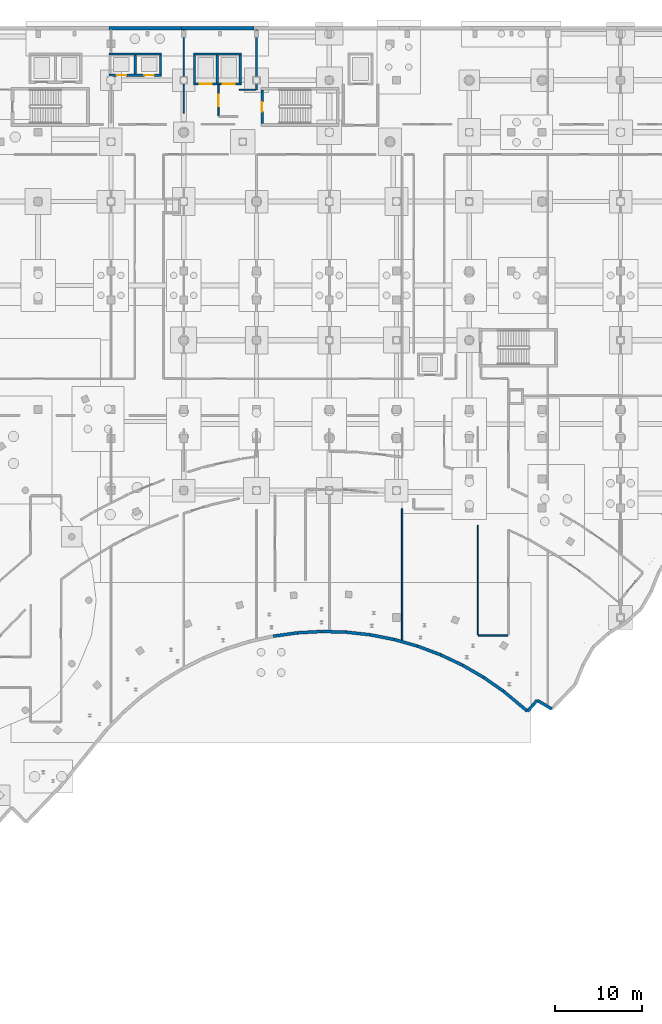
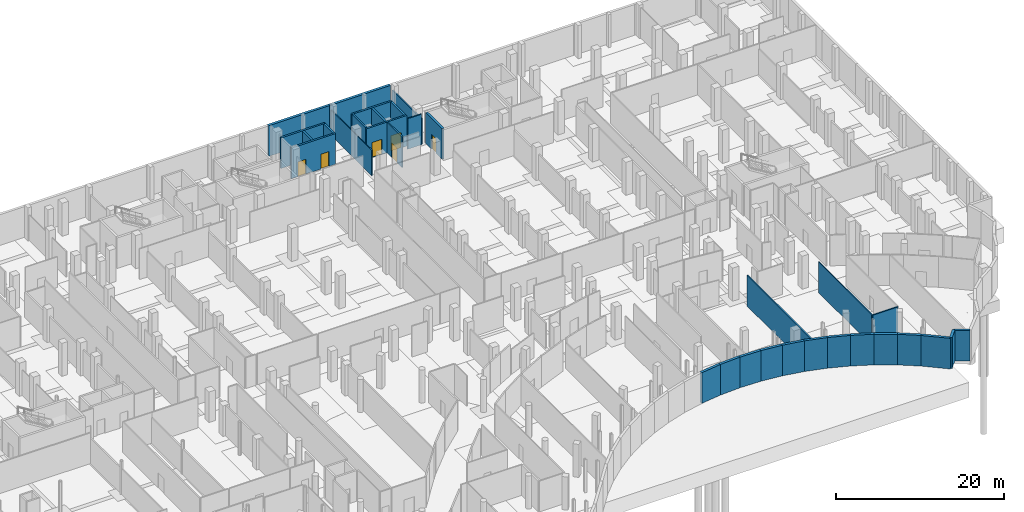
# One storey, part 35 of 45: 32 walls, 6 doors, 6 openings.
"""IFC4 building model written with IfcOpenShell, lengths in metres."""

from ifc_helpers import new_model, si_unit, direction, frame, frame_2d, origin, place, context, subcontext, project, spatial, rectangle, extrude, material, layer, layer_set, type_object, element, fill, save


model = new_model("IFC4")

# Units and contexts
model_context = context("Model", 3, precision=1e-05, world=origin(), true_north=direction((0.0, 1.0)))
body_context = subcontext(model_context, "Body", "Model", "MODEL_VIEW")
ifc_project = project(units=[si_unit("LENGTHUNIT", "METRE"), si_unit("AREAUNIT", "SQUARE_METRE"), si_unit("VOLUMEUNIT", "CUBIC_METRE"), si_unit("PLANEANGLEUNIT", "RADIAN"), si_unit("MASSUNIT", "GRAM", prefix="KILO")], contexts=[model_context])

# Site, building, storey
site_placement = place(None, origin())
site = spatial("IfcSite", under=ifc_project, at=site_placement, CompositionType="ELEMENT")
building_placement = place(site_placement, origin())
building = spatial("IfcBuilding", under=site, at=building_placement, Name="Selatvlak General Hospital", CompositionType="ELEMENT")
storey_placement = place(building_placement, frame((0.0, 0.0, -4.800048828125)))
storey = spatial("IfcBuildingStorey", under=building, at=storey_placement, Name="B1", CompositionType="ELEMENT", Elevation=-4.800048828125)

# Walls
ifc_material_1 = material(Name="Concrete C45/55", Category="concrete")
ifc_layer_1 = layer(ifc_material_1, 0.35009765625, Name="Concrete C45/55", Category="concrete")
ifc_layer_set_1 = layer_set([ifc_layer_1], Name="Concrete C45/55")
wall_type_1 = type_object("IfcWallType", Name="WALL-EW-05", PredefinedType="SHEAR", material=ifc_layer_set_1)
for number, where, z_axis, x_axis, name in (
    (1, (114.951904296875, 120.0, 0.0), (0.0, 0.0, 1.0), (1.0, 0.0, 0.0), "B1 retaining wall 0022"),
    (2, (123.3330078125, 120.0, 0.0), (0.0, 0.0, 1.0), (1.0, 0.0, 0.0), "B1 retaining wall 0023"),
):
    element("IfcWall", number, at=place(storey_placement, frame(where, z_axis=z_axis, x_axis=x_axis)), inside=storey, type_object=wall_type_1, Name=name, PredefinedType="SHEAR", context=body_context, shape_type="SweptSolid", body=[
        extrude(rectangle(XDim=8.381103515625, YDim=0.35009765625, at=frame_2d((4.1904296875, 0.0))), origin(), (0.0, 0.0, 1.0), 4.449951171875),
    ])
wall_1_placement = place(storey_placement, frame((166.06494140625, 41.449951171875, 0.0), z_axis=(0.0, 0.0, 1.0), x_axis=(-0.860614493438, 0.509257001606, 0.0)))
element("IfcWall", 3, at=wall_1_placement, inside=storey, type_object=wall_type_1, Name="B1 retaining wall 0049", PredefinedType="SHEAR", context=body_context, shape_type="SweptSolid", body=[
    extrude(rectangle(XDim=1.963623046875, YDim=0.35009765625, at=frame_2d((0.98193359375, 0.0))), origin(), (0.0, 0.0, 1.0), 4.449951171875),
])
wall_2_placement = place(storey_placement, frame((164.375, 42.449951171875, 0.0), z_axis=(0.0, 0.0, 1.0), x_axis=(-0.660326061666, -0.750979022533, 0.0)))
element("IfcWall", 4, at=wall_2_placement, inside=storey, type_object=wall_type_1, Name="B1 retaining wall 0050", PredefinedType="SHEAR", context=body_context, shape_type="SweptSolid", body=[
    extrude(rectangle(XDim=1.677734375, YDim=0.35009765625, at=frame_2d((0.8388671875, 0.0))), origin(), (0.0, 0.0, 1.0), 4.449951171875),
])
wall_3_placement = place(storey_placement, frame((163.26708984375, 41.18994140625, 0.0), z_axis=(0.0, 0.0, 1.0), x_axis=(-0.767516584988, 0.641029088083, 0.0)))
element("IfcWall", 5, at=wall_3_placement, inside=storey, type_object=wall_type_1, Name="B1 retaining wall 0051", PredefinedType="SHEAR", context=body_context, shape_type="SweptSolid", body=[
    extrude(rectangle(XDim=3.580322265625, YDim=0.35009765625, at=frame_2d((1.7900390625, 0.0))), origin(), (0.0, 0.0, 1.0), 4.449951171875),
])
wall_4_placement = place(storey_placement, frame((160.51904296875, 43.485107421875, 0.0), z_axis=(0.0, 0.0, 1.0), x_axis=(-0.820639839103, 0.571445758123, 0.0)))
element("IfcWall", 6, at=wall_4_placement, inside=storey, type_object=wall_type_1, Name="B1 retaining wall 0052", PredefinedType="SHEAR", context=body_context, shape_type="SweptSolid", body=[
    extrude(rectangle(XDim=2.813720703125, YDim=0.35009765625, at=frame_2d((1.40673828125, 0.0))), origin(), (0.0, 0.0, 1.0), 4.449951171875),
])
wall_5_placement = place(storey_placement, frame((158.2099609375, 45.093017578125, 0.0), z_axis=(0.0, 0.0, 1.0), x_axis=(-0.864915249361, 0.501917932956, 0.0)))
element("IfcWall", 7, at=wall_5_placement, inside=storey, type_object=wall_type_1, Name="B1 retaining wall 0053", PredefinedType="SHEAR", context=body_context, shape_type="SweptSolid", body=[
    extrude(rectangle(XDim=2.8154296875, YDim=0.35009765625, at=frame_2d((1.40771484375, 0.0))), origin(), (0.0, 0.0, 1.0), 4.449951171875),
])
wall_6_placement = place(storey_placement, frame((155.77490234375, 46.506103515625, 0.0), z_axis=(0.0, 0.0, 1.0), x_axis=(-0.903700736415, 0.428164663422, 0.0)))
element("IfcWall", 8, at=wall_6_placement, inside=storey, type_object=wall_type_1, Name="B1 retaining wall 0054", PredefinedType="SHEAR", context=body_context, shape_type="SweptSolid", body=[
    extrude(rectangle(XDim=2.81396484375, YDim=0.35009765625, at=frame_2d((1.406982421875, 0.0))), origin(), (0.0, 0.0, 1.0), 4.449951171875),
])
wall_7_placement = place(storey_placement, frame((153.23193359375, 47.7109375, 0.0), z_axis=(0.0, 0.0, 1.0), x_axis=(-0.936086290475, 0.351770460363, 0.0)))
element("IfcWall", 9, at=wall_7_placement, inside=storey, type_object=wall_type_1, Name="B1 retaining wall 0055", PredefinedType="SHEAR", context=body_context, shape_type="SweptSolid", body=[
    extrude(rectangle(XDim=2.8115234375, YDim=0.35009765625, at=frame_2d((1.40576171875, 0.0))), origin(), (0.0, 0.0, 1.0), 4.449951171875),
])
wall_8_placement = place(storey_placement, frame((150.60009765625, 48.699951171875, 0.0), z_axis=(0.0, 0.0, 1.0), x_axis=(-0.961974769047, 0.273138323414, 0.0)))
element("IfcWall", 10, at=wall_8_placement, inside=storey, type_object=wall_type_1, Name="B1 retaining wall 0056", PredefinedType="SHEAR", context=body_context, shape_type="SweptSolid", body=[
    extrude(rectangle(XDim=2.81201171875, YDim=0.35009765625, at=frame_2d((1.406005859375, 0.0))), origin(), (0.0, 0.0, 1.0), 4.449951171875),
])
wall_9_placement = place(storey_placement, frame((147.89501953125, 49.468017578125, 0.0), z_axis=(0.0, 0.0, 1.0), x_axis=(-0.981350344174, 0.192227734703, 0.0)))
element("IfcWall", 11, at=wall_9_placement, inside=storey, type_object=wall_type_1, Name="B1 retaining wall 0057", PredefinedType="SHEAR", context=body_context, shape_type="SweptSolid", body=[
    extrude(rectangle(XDim=2.814453125, YDim=0.35009765625, at=frame_2d((1.4072265625, 0.0))), origin(), (0.0, 0.0, 1.0), 4.449951171875),
])
wall_10_placement = place(storey_placement, frame((145.133056640625, 50.009033203125, 0.0), z_axis=(0.0, 0.0, 1.0), x_axis=(-0.993916475876, 0.110136456187, 0.0)))
element("IfcWall", 12, at=wall_10_placement, inside=storey, type_object=wall_type_1, Name="B1 retaining wall 0058", PredefinedType="SHEAR", context=body_context, shape_type="SweptSolid", body=[
    extrude(rectangle(XDim=2.815185546875, YDim=0.35009765625, at=frame_2d((1.40771484375, 0.0))), origin(), (0.0, 0.0, 1.0), 4.449951171875),
])
wall_11_placement = place(storey_placement, frame((142.3349609375, 50.319091796875, 0.0), z_axis=(0.0, 0.0, 1.0), x_axis=(-0.999616958311, 0.027675560641, 0.0)))
element("IfcWall", 13, at=wall_11_placement, inside=storey, type_object=wall_type_1, Name="B1 retaining wall 0059", PredefinedType="SHEAR", context=body_context, shape_type="SweptSolid", body=[
    extrude(rectangle(XDim=2.81396484375, YDim=0.35009765625, at=frame_2d((1.406982421875, 0.0))), origin(), (0.0, 0.0, 1.0), 4.449951171875),
])
wall_12_placement = place(storey_placement, frame((139.52197265625, 50.39697265625, 0.0), z_axis=(0.0, 0.0, 1.0), x_axis=(-0.998456875026, -0.055532591448, 0.0)))
element("IfcWall", 14, at=wall_12_placement, inside=storey, type_object=wall_type_1, Name="B1 retaining wall 0060", PredefinedType="SHEAR", context=body_context, shape_type="SweptSolid", body=[
    extrude(rectangle(XDim=2.809326171875, YDim=0.35009765625, at=frame_2d((1.40478515625, 0.0))), origin(), (0.0, 0.0, 1.0), 4.449951171875),
])
wall_13_placement = place(storey_placement, frame((136.717041015625, 50.240966796875, 0.0), z_axis=(0.0, 0.0, 1.0), x_axis=(-0.990369818783, -0.138447181425, 0.0)))
element("IfcWall", 15, at=wall_13_placement, inside=storey, type_object=wall_type_1, Name="B1 retaining wall 0061", PredefinedType="SHEAR", context=body_context, shape_type="SweptSolid", body=[
    extrude(rectangle(XDim=2.816162109375, YDim=0.35009765625, at=frame_2d((1.408203125, 0.0))), origin(), (0.0, 0.0, 1.0), 4.449951171875),
])
ifc_material_2 = material(Name="Acoustic gypsum stud partition")
ifc_layer_2 = layer(ifc_material_2, 0.179931640625, Name="Acoustic gypsum stud partition")
ifc_layer_set_2 = layer_set([ifc_layer_2], Name="Acoustic gypsum stud partition")
wall_type_2 = type_object("IfcWallType", Name="WALL-PT-01", PredefinedType="PARTITIONING", material=ifc_layer_set_2)
wall_14_placement = place(storey_placement, frame((148.800048828125, 64.5380859375, 0.0), z_axis=(0.0, 0.0, 1.0), x_axis=(0.0, -1.0, 0.0)))
element("IfcWall", 16, at=wall_14_placement, inside=storey, type_object=wall_type_2, Name="B1 clinical partition PT-B1-0186", PredefinedType="PARTITIONING", context=body_context, shape_type="SweptSolid", body=[
    extrude(rectangle(XDim=15.148193359375, YDim=0.179931640625, at=frame_2d((7.57421875, 0.0))), origin(), (0.0, 0.0, 1.0), 4.449951171875),
])
wall_15_placement = place(storey_placement, frame((157.60009765625, 49.93994140625, 0.0), z_axis=(0.0, 0.0, 1.0), x_axis=(1.0, 0.0, 0.0)))
element("IfcWall", 17, at=wall_15_placement, inside=storey, type_object=wall_type_2, Name="B1 clinical partition PT-B1-0195", PredefinedType="PARTITIONING", context=body_context, shape_type="SweptSolid", body=[
    extrude(rectangle(XDim=3.39990234375, YDim=0.179931640625, at=frame_2d((1.699951171875, 0.0))), origin(), (0.0, 0.0, 1.0), 4.449951171875),
])

# Wall, opening, door
wall_16_placement = place(storey_placement, frame((127.590087890625, 113.452880859375, 0.0), z_axis=(0.0, 0.0, 1.0), x_axis=(0.0, -1.0, 0.0)))
wall_16 = element("IfcWall", 18, at=wall_16_placement, inside=storey, type_object=wall_type_2, Name="B1 clinical partition PT-B1-0351", PredefinedType="PARTITIONING", context=body_context, shape_type="SweptSolid", body=[
    extrude(rectangle(XDim=3.552978515625, YDim=0.179931640625, at=frame_2d((1.7763671875, 0.0))), origin(), (0.0, 0.0, 1.0), 4.449951171875),
])
opening_1_placement = place(wall_16_placement, frame((1.10107421875, 0.0, 0.0)))
opening_1 = element("IfcOpeningElement", 19, at=opening_1_placement, cuts=wall_16, Name="Opening D-10", PredefinedType="OPENING", context=body_context, shape_type="SweptSolid", body=[
    extrude(rectangle(XDim=1.35009765625, YDim=2.14990234375, at=frame_2d((0.675048828125, 1.074951171875))), frame((0.0, 0.099853515625, 0.0), z_axis=(0.0, -1.0, 0.0), x_axis=(1.0, 0.0, 0.0)), (0.0, 0.0, 1.0), 0.199951171875),
])
ifc_material_3 = material(Name="Single patient bed door")
door_type_1 = type_object("IfcDoorType", Name="DOOR-D-10", OperationType="NOTDEFINED", PredefinedType="DOOR", material=ifc_material_3)
door_1_placement = place(opening_1_placement, origin())
door_1 = element("IfcDoor", 20, at=door_1_placement, inside=storey, type_object=door_type_1, Name="B1 Medical Gas Manifold Plant 86 door", OperationType="SINGLE_SWING_LEFT", OverallHeight=2.14990234375, OverallWidth=1.35009765625, PredefinedType="DOOR", context=body_context, shape_type="SweptSolid", body=[
    extrude(rectangle(XDim=1.35009765625, YDim=2.14990234375, at=frame_2d((0.675048828125, 1.074951171875))), frame((0.0, 0.02490234375, 0.0), z_axis=(0.0, -1.0, 0.0), x_axis=(1.0, 0.0, 0.0)), (0.0, 0.0, 1.0), 0.050048828125),
])
fill(opening_1, door_1)

# Walls
wall_17_placement = place(storey_placement, frame((132.0, 119.827880859375, 0.0), z_axis=(0.0, 0.0, 1.0), x_axis=(0.0, -1.0, 0.0)))
element("IfcWall", 21, at=wall_17_placement, inside=storey, type_object=wall_type_2, Name="B1 clinical partition PT-B1-0354", PredefinedType="PARTITIONING", context=body_context, shape_type="SweptSolid", body=[
    extrude(rectangle(XDim=6.927978515625, YDim=0.179931640625, at=frame_2d((3.4638671875, 0.0))), origin(), (0.0, 0.0, 1.0), 3.699951171875),
])
ifc_layer_3 = layer(ifc_material_2, 0.1650390625, Name="Acoustic gypsum stud partition")
ifc_layer_set_3 = layer_set([ifc_layer_3], Name="Acoustic gypsum stud partition")
wall_type_3 = type_object("IfcWallType", Name="WALL-PT-02", PredefinedType="PARTITIONING", material=ifc_layer_set_3)
wall_18_placement = place(storey_placement, frame((131.9140625, 112.89990234375, 0.0), z_axis=(0.0, 0.0, 1.0), x_axis=(-1.0, 0.0, 0.0)))
element("IfcWall", 22, at=wall_18_placement, inside=storey, type_object=wall_type_3, Name="B1 clinical partition PT-B1-0355", PredefinedType="PARTITIONING", context=body_context, shape_type="SweptSolid", body=[
    extrude(rectangle(XDim=1.904052734375, YDim=0.1650390625, at=frame_2d((0.9521484375, 0.0))), origin(), (0.0, 0.0, 1.0), 4.449951171875),
])
ifc_material_4 = material(Name="Moisture-resistant clinical partition")
ifc_layer_4 = layer(ifc_material_4, 0.135009765625, Name="Moisture-resistant clinical partition")
ifc_layer_set_4 = layer_set([ifc_layer_4], Name="Moisture-resistant clinical partition")
wall_type_4 = type_object("IfcWallType", Name="WALL-PT-04", PredefinedType="PARTITIONING", material=ifc_layer_set_4)
wall_19_placement = place(storey_placement, frame((157.5400390625, 62.676025390625, 0.0), z_axis=(0.0, 0.0, 1.0), x_axis=(0.0, -1.0, 0.0)))
element("IfcWall", 23, at=wall_19_placement, inside=storey, type_object=wall_type_4, Name="B1 clinical partition PT-B1-0194", PredefinedType="PARTITIONING", context=body_context, shape_type="SweptSolid", body=[
    extrude(rectangle(XDim=12.676025390625, YDim=0.135009765625, at=frame_2d((6.337890625, 0.0))), origin(), (0.0, 0.0, 1.0), 4.449951171875),
])
wall_20_placement = place(storey_placement, frame((123.60009765625, 119.827880859375, 0.0), z_axis=(0.0, 0.0, 1.0), x_axis=(0.0, -1.0, 0.0)))
element("IfcWall", 24, at=wall_20_placement, inside=storey, type_object=wall_type_4, Name="B1 clinical partition PT-B1-0350", PredefinedType="PARTITIONING", context=body_context, shape_type="SweptSolid", body=[
    extrude(rectangle(XDim=9.617919921875, YDim=0.135009765625, at=frame_2d((4.80908203125, 0.0))), origin(), (0.0, 0.0, 1.0), 3.699951171875),
])

# Wall, opening, door
ifc_layer_5 = layer(ifc_material_1, 0.300048828125, Name="Concrete C45/55", Category="concrete")
ifc_layer_set_5 = layer_set([ifc_layer_5], Name="Concrete C45/55")
wall_type_5 = type_object("IfcWallType", Name="WALL-SW-02", PredefinedType="SHEAR", material=ifc_layer_set_5)
wall_21_placement = place(storey_placement, frame((132.639892578125, 112.85009765625, 0.0), z_axis=(0.0, 0.0, 1.0), x_axis=(0.0, -1.0, 0.0)))
wall_21 = element("IfcWall", 25, at=wall_21_placement, inside=storey, type_object=wall_type_5, Name="ST-04 core shear wall B1 W", PredefinedType="SHEAR", context=body_context, shape_type="SweptSolid", body=[
    extrude(rectangle(XDim=3.860107421875, YDim=0.300048828125, at=frame_2d((1.93017578125, 0.0))), origin(), (0.0, 0.0, 1.0), 4.449951171875),
])
opening_2_placement = place(wall_21_placement, frame((1.3798828125, 0.0, 0.0)))
opening_2 = element("IfcOpeningElement", 26, at=opening_2_placement, cuts=wall_21, Name="Opening D-05", PredefinedType="OPENING", context=body_context, shape_type="SweptSolid", body=[
    extrude(rectangle(XDim=1.10009765625, YDim=2.14990234375, at=frame_2d((0.550048828125, 1.074951171875))), frame((0.0, 0.159912109375, 0.0), z_axis=(0.0, -1.0, 0.0), x_axis=(1.0, 0.0, 0.0)), (0.0, 0.0, 1.0), 0.320068359375),
])
ifc_material_5 = material(Name="Protected stair fire door")
door_type_2 = type_object("IfcDoorType", Name="DOOR-D-05", OperationType="NOTDEFINED", PredefinedType="DOOR", material=ifc_material_5)
door_2_placement = place(opening_2_placement, origin())
door_2 = element("IfcDoor", 27, at=door_2_placement, inside=storey, type_object=door_type_2, Name="ST-04 protected stair door on B1", OperationType="SINGLE_SWING_RIGHT", OverallHeight=2.14990234375, OverallWidth=1.10009765625, PredefinedType="DOOR", context=body_context, shape_type="SweptSolid", body=[
    extrude(rectangle(XDim=1.10009765625, YDim=2.14990234375, at=frame_2d((0.550048828125, 1.074951171875))), frame((0.0, 0.02490234375, 0.0), z_axis=(0.0, -1.0, 0.0), x_axis=(1.0, 0.0, 0.0)), (0.0, 0.0, 1.0), 0.050048828125),
])
fill(opening_2, door_2)

# Wall, openings, doors
ifc_material_6 = material(Name="Concrete C40/50", Category="concrete")
ifc_layer_6 = layer(ifc_material_6, 0.25, Name="Concrete C40/50", Category="concrete")
ifc_layer_set_6 = layer_set([ifc_layer_6], Name="Concrete C40/50")
wall_type_6 = type_object("IfcWallType", Name="WALL-SW-03", PredefinedType="SHEAR", material=ifc_layer_set_6)
wall_22_placement = place(storey_placement, frame((124.699951171875, 113.574951171875, 0.0), z_axis=(0.0, 0.0, 1.0), x_axis=(1.0, 0.0, 0.0)))
wall_22 = element("IfcWall", 28, at=wall_22_placement, inside=storey, type_object=wall_type_6, Name="Lift LB-03-LB-04 shaft wall B1 S", PredefinedType="SHEAR", context=body_context, shape_type="SweptSolid", body=[
    extrude(rectangle(XDim=5.550048828125, YDim=0.25, at=frame_2d((2.77490234375, 0.0))), origin(), (0.0, 0.0, 1.0), 4.449951171875),
])
opening_3_placement = place(wall_22_placement, frame((0.75, 0.0, 0.0)))
opening_3 = element("IfcOpeningElement", 29, at=opening_3_placement, cuts=wall_22, Name="Opening LD-B1", PredefinedType="OPENING", context=body_context, shape_type="SweptSolid", body=[
    extrude(rectangle(XDim=1.39990234375, YDim=2.199951171875, at=frame_2d((0.699951171875, 1.10009765625))), frame((0.0, 0.135009765625, 0.0), z_axis=(0.0, -1.0, 0.0), x_axis=(1.0, 0.0, 0.0)), (0.0, 0.0, 1.0), 0.27001953125),
])
opening_4_placement = place(wall_22_placement, frame((3.39990234375, 0.0, 0.0)))
opening_4 = element("IfcOpeningElement", 30, at=opening_4_placement, cuts=wall_22, Name="Opening LD-B1", PredefinedType="OPENING", context=body_context, shape_type="SweptSolid", body=[
    extrude(rectangle(XDim=1.39990234375, YDim=2.199951171875, at=frame_2d((0.699951171875, 1.10009765625))), frame((0.0, 0.135009765625, 0.0), z_axis=(0.0, -1.0, 0.0), x_axis=(1.0, 0.0, 0.0)), (0.0, 0.0, 1.0), 0.27001953125),
])
ifc_material_7 = material(Name="Stainless steel stretcher lift landing door", Category="steel")
door_type_3 = type_object("IfcDoorType", Name="DOOR-LD-B1", OperationType="DOUBLE_DOOR_SLIDING", PredefinedType="DOOR", material=ifc_material_7)
door_3_placement = place(opening_3_placement, origin())
door_3 = element("IfcDoor", 31, at=door_3_placement, inside=storey, type_object=door_type_3, Name="Lift LB-03 sliding landing door on B1", OperationType="DOUBLE_DOOR_SLIDING", OverallHeight=2.199951171875, OverallWidth=1.39990234375, PredefinedType="DOOR", context=body_context, shape_type="SweptSolid", body=[
    extrude(rectangle(XDim=1.39990234375, YDim=2.199951171875, at=frame_2d((0.699951171875, 1.10009765625))), frame((0.0, 0.02490234375, 0.0), z_axis=(0.0, -1.0, 0.0), x_axis=(1.0, 0.0, 0.0)), (0.0, 0.0, 1.0), 0.050048828125),
])
fill(opening_3, door_3)
door_4_placement = place(opening_4_placement, origin())
door_4 = element("IfcDoor", 32, at=door_4_placement, inside=storey, type_object=door_type_3, Name="Lift LB-04 sliding landing door on B1", OperationType="DOUBLE_DOOR_SLIDING", OverallHeight=2.199951171875, OverallWidth=1.39990234375, PredefinedType="DOOR", context=body_context, shape_type="SweptSolid", body=[
    extrude(rectangle(XDim=1.39990234375, YDim=2.199951171875, at=frame_2d((0.699951171875, 1.10009765625))), frame((0.0, 0.02490234375, 0.0), z_axis=(0.0, -1.0, 0.0), x_axis=(1.0, 0.0, 0.0)), (0.0, 0.0, 1.0), 0.050048828125),
])
fill(opening_4, door_4)

# Walls
wall_23_placement = place(storey_placement, frame((130.125, 113.699951171875, 0.0), z_axis=(0.0, 0.0, 1.0), x_axis=(0.0, 1.0, 0.0)))
element("IfcWall", 33, at=wall_23_placement, inside=storey, type_object=wall_type_6, Name="Lift LB-03-LB-04 shaft wall B1 E", PredefinedType="SHEAR", context=body_context, shape_type="SweptSolid", body=[
    extrude(rectangle(XDim=3.199951171875, YDim=0.25, at=frame_2d((1.60009765625, 0.0))), origin(), (0.0, 0.0, 1.0), 4.449951171875),
])
wall_24_placement = place(storey_placement, frame((130.25, 117.02490234375, 0.0), z_axis=(0.0, 0.0, 1.0), x_axis=(-1.0, 0.0, 0.0)))
element("IfcWall", 34, at=wall_24_placement, inside=storey, type_object=wall_type_6, Name="Lift LB-03-LB-04 shaft wall B1 N", PredefinedType="SHEAR", context=body_context, shape_type="SweptSolid", body=[
    extrude(rectangle(XDim=5.550048828125, YDim=0.25, at=frame_2d((2.77490234375, 0.0))), origin(), (0.0, 0.0, 1.0), 4.449951171875),
])
for number, where, z_axis, x_axis, name in (
    (35, (124.824951171875, 116.89990234375, 0.0), (0.0, 0.0, 1.0), (0.0, -1.0, 0.0), "Lift LB-03-LB-04 shaft wall B1 W"),
    (36, (127.47509765625, 113.699951171875, 0.0), (0.0, 0.0, 1.0), (0.0, 1.0, 0.0), "Lift LB-03-LB-04 dividing shaft wall B1"),
):
    element("IfcWall", number, at=place(storey_placement, frame(where, z_axis=z_axis, x_axis=x_axis)), inside=storey, type_object=wall_type_6, Name=name, PredefinedType="SHEAR", context=body_context, shape_type="SweptSolid", body=[
        extrude(rectangle(XDim=3.199951171875, YDim=0.25, at=frame_2d((1.60009765625, 0.0))), origin(), (0.0, 0.0, 1.0), 4.449951171875),
    ])

# Wall, openings, doors
wall_25_placement = place(storey_placement, frame((114.949951171875, 114.574951171875, 0.0), z_axis=(0.0, 0.0, 1.0), x_axis=(1.0, 0.0, 0.0)))
wall_25 = element("IfcWall", 37, at=wall_25_placement, inside=storey, type_object=wall_type_6, Name="Lift LP-05-LP-06 shaft wall B1 S", PredefinedType="SHEAR", context=body_context, shape_type="SweptSolid", body=[
    extrude(rectangle(XDim=6.10009765625, YDim=0.25, at=frame_2d((3.050048828125, 0.0))), origin(), (0.0, 0.0, 1.0), 4.449951171875),
])
opening_5_placement = place(wall_25_placement, frame((0.89990234375, 0.0, 0.0)))
opening_5 = element("IfcOpeningElement", 38, at=opening_5_placement, cuts=wall_25, Name="Opening LD-P1", PredefinedType="OPENING", context=body_context, shape_type="SweptSolid", body=[
    extrude(rectangle(XDim=1.10009765625, YDim=2.14990234375, at=frame_2d((0.550048828125, 1.074951171875))), frame((0.0, 0.135009765625, 0.0), z_axis=(0.0, -1.0, 0.0), x_axis=(1.0, 0.0, 0.0)), (0.0, 0.0, 1.0), 0.27001953125),
])
opening_6_placement = place(wall_25_placement, frame((4.10009765625, 0.0, 0.0)))
opening_6 = element("IfcOpeningElement", 39, at=opening_6_placement, cuts=wall_25, Name="Opening LD-P1", PredefinedType="OPENING", context=body_context, shape_type="SweptSolid", body=[
    extrude(rectangle(XDim=1.10009765625, YDim=2.14990234375, at=frame_2d((0.550048828125, 1.074951171875))), frame((0.0, 0.135009765625, 0.0), z_axis=(0.0, -1.0, 0.0), x_axis=(1.0, 0.0, 0.0)), (0.0, 0.0, 1.0), 0.27001953125),
])
ifc_material_8 = material(Name="Stainless steel passenger lift landing door", Category="steel")
door_type_4 = type_object("IfcDoorType", Name="DOOR-LD-P1", OperationType="DOUBLE_DOOR_SLIDING", PredefinedType="DOOR", material=ifc_material_8)
door_5_placement = place(opening_5_placement, origin())
door_5 = element("IfcDoor", 40, at=door_5_placement, inside=storey, type_object=door_type_4, Name="Lift LP-05 sliding landing door on B1", OperationType="DOUBLE_DOOR_SLIDING", OverallHeight=2.14990234375, OverallWidth=1.10009765625, PredefinedType="DOOR", context=body_context, shape_type="SweptSolid", body=[
    extrude(rectangle(XDim=1.10009765625, YDim=2.14990234375, at=frame_2d((0.550048828125, 1.074951171875))), frame((0.0, 0.02490234375, 0.0), z_axis=(0.0, -1.0, 0.0), x_axis=(1.0, 0.0, 0.0)), (0.0, 0.0, 1.0), 0.050048828125),
])
fill(opening_5, door_5)
door_6_placement = place(opening_6_placement, origin())
door_6 = element("IfcDoor", 41, at=door_6_placement, inside=storey, type_object=door_type_4, Name="Lift LP-06 sliding landing door on B1", OperationType="DOUBLE_DOOR_SLIDING", OverallHeight=2.14990234375, OverallWidth=1.10009765625, PredefinedType="DOOR", context=body_context, shape_type="SweptSolid", body=[
    extrude(rectangle(XDim=1.10009765625, YDim=2.14990234375, at=frame_2d((0.550048828125, 1.074951171875))), frame((0.0, 0.02490234375, 0.0), z_axis=(0.0, -1.0, 0.0), x_axis=(1.0, 0.0, 0.0)), (0.0, 0.0, 1.0), 0.050048828125),
])
fill(opening_6, door_6)

# Walls
wall_26_placement = place(storey_placement, frame((120.925048828125, 114.699951171875, 0.0), z_axis=(0.0, 0.0, 1.0), x_axis=(0.0, 1.0, 0.0)))
element("IfcWall", 42, at=wall_26_placement, inside=storey, type_object=wall_type_6, Name="Lift LP-05-LP-06 shaft wall B1 E", PredefinedType="SHEAR", context=body_context, shape_type="SweptSolid", body=[
    extrude(rectangle(XDim=2.199951171875, YDim=0.25, at=frame_2d((1.10009765625, 0.0))), origin(), (0.0, 0.0, 1.0), 4.449951171875),
])
wall_27_placement = place(storey_placement, frame((121.050048828125, 117.02490234375, 0.0), z_axis=(0.0, 0.0, 1.0), x_axis=(-1.0, 0.0, 0.0)))
element("IfcWall", 43, at=wall_27_placement, inside=storey, type_object=wall_type_6, Name="Lift LP-05-LP-06 shaft wall B1 N", PredefinedType="SHEAR", context=body_context, shape_type="SweptSolid", body=[
    extrude(rectangle(XDim=6.10009765625, YDim=0.25, at=frame_2d((3.050048828125, 0.0))), origin(), (0.0, 0.0, 1.0), 4.449951171875),
])
wall_28_placement = place(storey_placement, frame((118.0, 114.699951171875, 0.0), z_axis=(0.0, 0.0, 1.0), x_axis=(0.0, 1.0, 0.0)))
element("IfcWall", 44, at=wall_28_placement, inside=storey, type_object=wall_type_6, Name="Lift LP-05-LP-06 dividing shaft wall B1", PredefinedType="SHEAR", context=body_context, shape_type="SweptSolid", body=[
    extrude(rectangle(XDim=2.199951171875, YDim=0.25, at=frame_2d((1.10009765625, 0.0))), origin(), (0.0, 0.0, 1.0), 4.449951171875),
])

save(model, "model.ifc")
